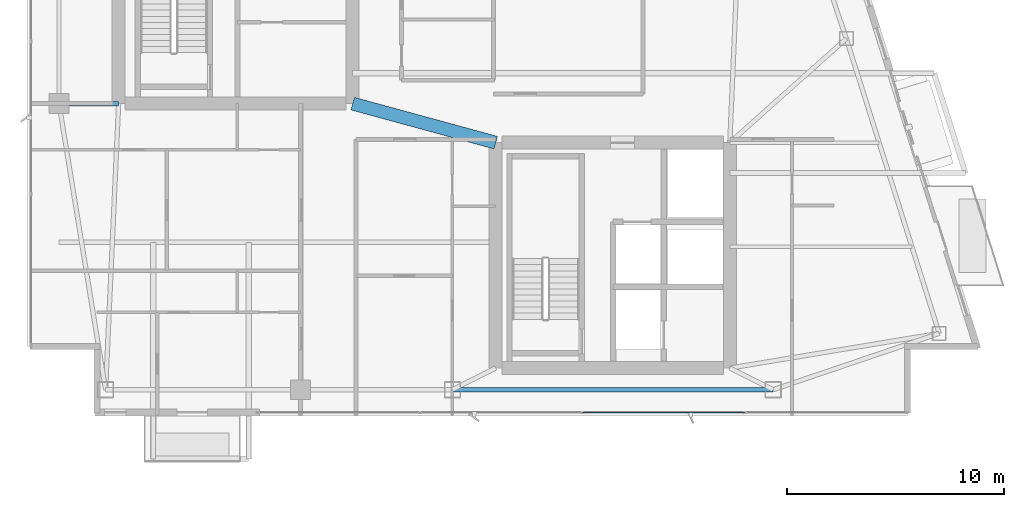
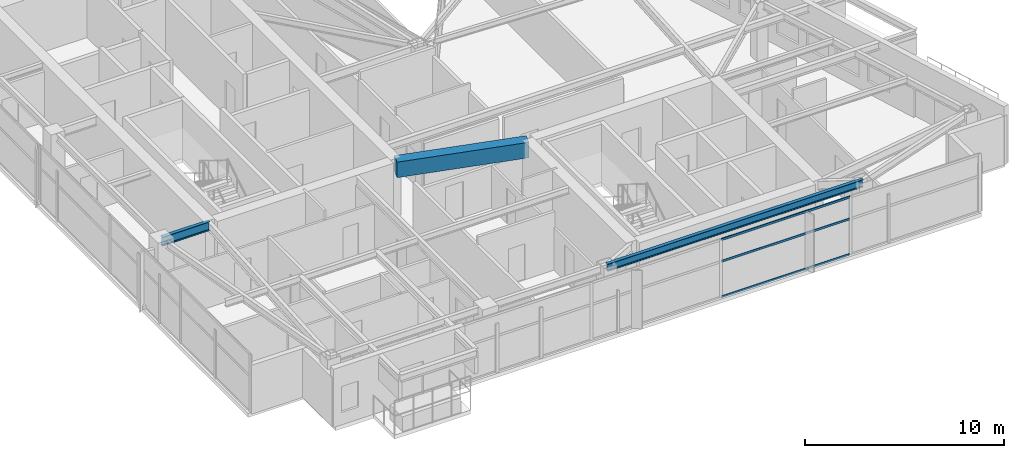
# One storey, part 8 of 28: 3 beams, 3 members, 1 element without a shape of its own.
"""IFC4 building model written with IfcOpenShell, lengths in metres."""

from ifc_helpers import new_model, si_unit, direction, frame, origin, origin_2d, place, context, subcontext, project, spatial, rectangle, hollow_rectangle, i_section, extrude, material, layer, layer_set, material_profile, profile_set, type_object, element, aggregate, save


model = new_model("IFC4")

# Units and contexts
model_context = context("Model", 3, precision=1e-05, world=origin(), true_north=direction((0.0, 1.0)))
body_context = subcontext(model_context, "Body", "Model", "MODEL_VIEW")
ifc_project = project(units=[si_unit("LENGTHUNIT", "METRE"), si_unit("AREAUNIT", "SQUARE_METRE"), si_unit("VOLUMEUNIT", "CUBIC_METRE"), si_unit("PLANEANGLEUNIT", "RADIAN"), si_unit("MASSUNIT", "GRAM", prefix="KILO")], contexts=[model_context])

# Site, building, storey
site_placement = place(None, origin())
site = spatial("IfcSite", under=ifc_project, at=site_placement, CompositionType="ELEMENT")
building_placement = place(site_placement, origin())
building = spatial("IfcBuilding", under=site, at=building_placement, Name="Calvorn Quay Hotel", CompositionType="ELEMENT")
storey_placement = place(building_placement, frame((0.0, 0.0, 267.300048828125)))
storey = spatial("IfcBuildingStorey", under=building, at=storey_placement, Name="L66", CompositionType="ELEMENT", Elevation=267.300048828125)

# Beams
ifc_material_1 = material(Name="Steel Q355B", Category="steel")
ifc_material_profile_1 = material_profile(ifc_material_1, i_section(OverallWidth=0.199951171875, OverallDepth=0.550048828125, WebThickness=0.010009765625, FlangeThickness=0.01611328125, FilletRadius=0.01806640625, at=origin_2d()), Name="HN550x200x10x16")
ifc_profile_set_1 = profile_set([ifc_material_profile_1], Name="Steel Q355B")
beam_type_1 = type_object("IfcBeamType", Name="BM-GIRD-UPP", PredefinedType="BEAM", material=ifc_profile_set_1)
beam_1_placement = place(storey_placement, frame((1.449951171875, 16.800048828125, 3.264892578125), z_axis=(1.0, 0.0, 0.0), x_axis=(0.0, 1.0, 0.0)))
element("IfcBeam", 1, at=beam_1_placement, inside=storey, type_object=beam_type_1, Name="Beam BG-L66-W1", PredefinedType="BEAM", context=body_context, shape_type="SweptSolid", body=[
    extrude(i_section(OverallWidth=0.199951171875, OverallDepth=0.550048828125, WebThickness=0.010009765625, FlangeThickness=0.01611328125, FilletRadius=0.01806640625, at=origin_2d()), origin(), (0.0, 0.0, 1.0), 2.75),
])
ifc_material_2 = material(Name="Concrete C45", Category="concrete")
ifc_material_profile_2 = material_profile(ifc_material_2, rectangle(XDim=0.60009765625, YDim=0.949951171875, at=origin_2d()), Name="RCB600x950")
ifc_profile_set_2 = profile_set([ifc_material_profile_2], Name="Concrete C45")
beam_type_2 = type_object("IfcBeamType", Name="BM-RC-LINK-600x950", PredefinedType="BEAM", material=ifc_profile_set_2)
beam_2_placement = place(storey_placement, frame((15.0, 16.800048828125, 3.06494140625), z_axis=(0.964762997686, -0.263120425462, 0.0), x_axis=(0.263120425462, 0.964762997686, 0.0)))
element("IfcBeam", 2, at=beam_2_placement, inside=storey, type_object=beam_type_2, Name="Beam BCL-L66-01", PredefinedType="BEAM", context=body_context, shape_type="SweptSolid", body=[
    extrude(rectangle(XDim=0.60009765625, YDim=0.949951171875, at=origin_2d()), origin(), (0.0, 0.0, 1.0), 6.841064453125),
])
ifc_material_3 = material(Name="Steel Q355B", Category="steel")
ifc_material_profile_3 = material_profile(ifc_material_3, i_section(OverallWidth=0.199951171875, OverallDepth=0.449951171875, WebThickness=0.009033203125, FlangeThickness=0.013916015625, FilletRadius=0.01611328125, at=origin_2d()), Name="HN450x200x9x14")
ifc_profile_set_3 = profile_set([ifc_material_profile_3], Name="Steel Q355B")
beam_type_3 = type_object("IfcBeamType", Name="BM-SPANDREL-Z3", PredefinedType="SPANDREL", material=ifc_profile_set_3)
beam_3_placement = place(storey_placement, frame((19.60009765625, 3.60009765625, 3.31494140625), z_axis=(1.0, 0.0, 0.0), x_axis=(0.0, 1.0, 0.0)))
element("IfcBeam", 3, at=beam_3_placement, inside=storey, type_object=beam_type_3, Name="Beam BSP-L66-S3", PredefinedType="SPANDREL", context=body_context, shape_type="SweptSolid", body=[
    extrude(i_section(OverallWidth=0.199951171875, OverallDepth=0.449951171875, WebThickness=0.009033203125, FlangeThickness=0.013916015625, FilletRadius=0.01611328125, at=origin_2d()), origin(), (0.0, 0.0, 1.0), 14.7998046875),
])

# Curtain wall, members
ifc_material_4 = material(Name="Champagne Bronze Anodised Aluminium and Low-E Glass", Category="aluminium")
ifc_layer = layer(ifc_material_4, 0.219970703125)
ifc_layer_set = layer_set([ifc_layer], Name="CW-SYS-Z4")
curtain_wall_type = type_object("IfcCurtainWallType", Name="CW-SYS-Z4", PredefinedType="NOTDEFINED", material=ifc_layer_set)
curtain_wall_placement = place(storey_placement, origin())
curtain_wall = element("IfcCurtainWall", 4, at=curtain_wall_placement, inside=storey, type_object=curtain_wall_type, Name="Tower South Waterfront Curtain Wall (L66)", PredefinedType="NOTDEFINED")
ifc_material_5 = material(Name="Champagne Bronze Anodised Aluminium 6063-T6", Category="aluminium")
ifc_material_profile_4 = material_profile(ifc_material_5, hollow_rectangle(XDim=0.054931640625, YDim=0.1298828125, WallThickness=0.003173828125, at=origin_2d()), Name="ALU-T130x55x3.2")
ifc_profile_set_4 = profile_set([ifc_material_profile_4], Name="Champagne Bronze Anodised Aluminium 6063-T6")
member_type = type_object("IfcMemberType", Name="CW-SYS-Z4-TRN", PredefinedType="USERDEFINED", material=ifc_profile_set_4)
member_1_placement = place(storey_placement, frame((25.6298828125, 2.550048828125, 0.030029296875), z_axis=(1.0, 0.0, 0.0), x_axis=(0.0, 1.0, 0.0)))
member_1 = element("IfcMember", 5, at=member_1_placement, type_object=member_type, Name="CW-L66-S transom 3.1", ObjectType="TRANSOM", PredefinedType="USERDEFINED", context=body_context, shape_type="SweptSolid", body=[
    extrude(hollow_rectangle(XDim=0.054931640625, YDim=0.1298828125, WallThickness=0.003173828125, at=origin_2d()), origin(), (0.0, 0.0, 1.0), 7.440185546875),
])
member_2_placement = place(storey_placement, frame((25.6298828125, 2.550048828125, 2.199951171875), z_axis=(1.0, 0.0, 0.0), x_axis=(0.0, 1.0, 0.0)))
member_2 = element("IfcMember", 6, at=member_2_placement, type_object=member_type, Name="CW-L66-S transom 3.2", ObjectType="TRANSOM", PredefinedType="USERDEFINED", context=body_context, shape_type="SweptSolid", body=[
    extrude(hollow_rectangle(XDim=0.054931640625, YDim=0.1298828125, WallThickness=0.003173828125, at=origin_2d()), origin(), (0.0, 0.0, 1.0), 7.440185546875),
])
member_3_placement = place(storey_placement, frame((25.6298828125, 2.550048828125, 3.530029296875), z_axis=(1.0, 0.0, 0.0), x_axis=(0.0, 1.0, 0.0)))
member_3 = element("IfcMember", 7, at=member_3_placement, type_object=member_type, Name="CW-L66-S transom 3.3", ObjectType="TRANSOM", PredefinedType="USERDEFINED", context=body_context, shape_type="SweptSolid", body=[
    extrude(hollow_rectangle(XDim=0.054931640625, YDim=0.1298828125, WallThickness=0.003173828125, at=origin_2d()), origin(), (0.0, 0.0, 1.0), 7.440185546875),
])
aggregate(curtain_wall, [member_1, member_2, member_3])

save(model, "model.ifc")
